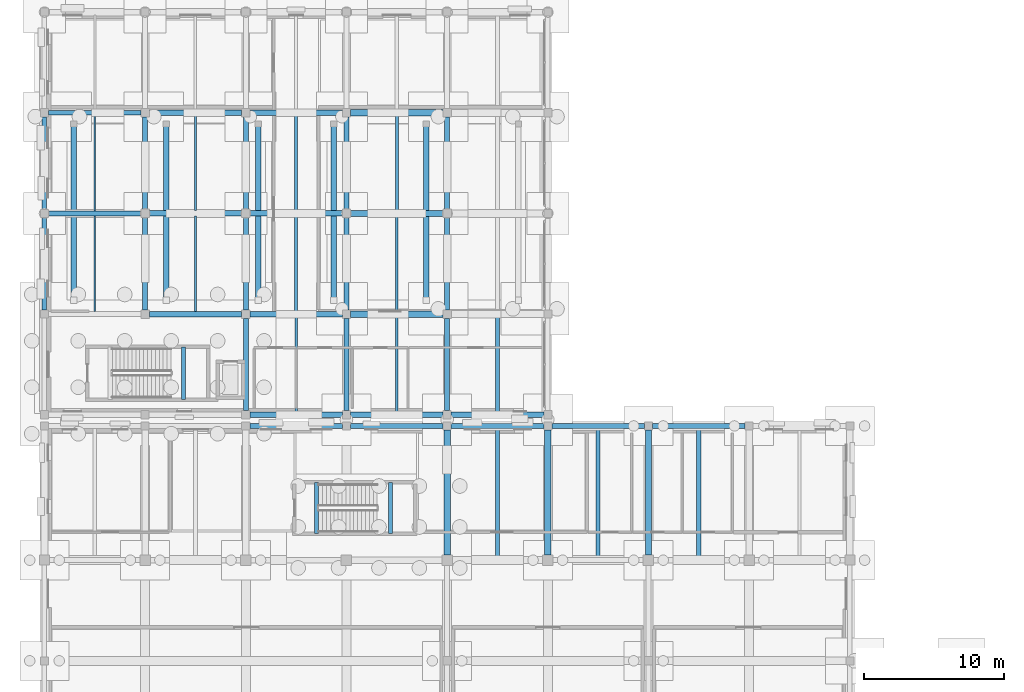
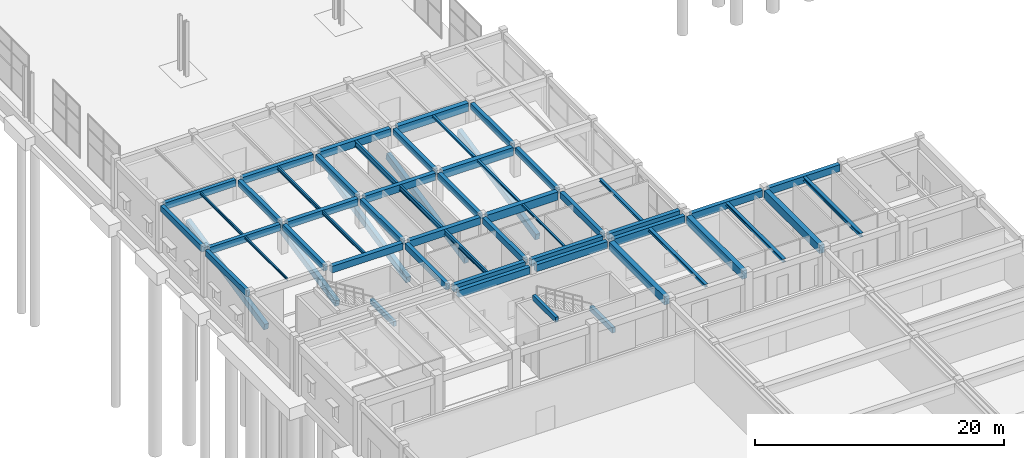
# One storey, part 16 of 91: 57 beams.
"""IFC4 building model written with IfcOpenShell, lengths in metres."""

from ifc_helpers import new_model, si_unit, direction, frame, origin, origin_2d, place, context, subcontext, project, spatial, rectangle, i_section, extrude, material, material_profile, profile_set, type_object, element, save


model = new_model("IFC4")

# Units and contexts
model_context = context("Model", 3, precision=1e-05, world=origin(), true_north=direction((0.0, 1.0)))
body_context = subcontext(model_context, "Body", "Model", "MODEL_VIEW")
ifc_project = project(units=[si_unit("LENGTHUNIT", "METRE"), si_unit("AREAUNIT", "SQUARE_METRE"), si_unit("VOLUMEUNIT", "CUBIC_METRE"), si_unit("PLANEANGLEUNIT", "RADIAN"), si_unit("MASSUNIT", "GRAM", prefix="KILO")], contexts=[model_context])

# Site, building, storey
site_placement = place(None, origin())
site = spatial("IfcSite", under=ifc_project, at=site_placement, CompositionType="ELEMENT")
building_placement = place(site_placement, origin())
building = spatial("IfcBuilding", under=site, at=building_placement, Name="Bramveld Media Centre", CompositionType="ELEMENT")
storey_placement = place(building_placement, origin())
storey = spatial("IfcBuildingStorey", under=building, at=storey_placement, Name="L00", CompositionType="ELEMENT", Elevation=0.0)

# Beams
ifc_material_1 = material(Name="Concrete C40/50", Category="concrete")
ifc_material_profile_1 = material_profile(ifc_material_1, rectangle(XDim=0.300048828125, YDim=0.5, at=origin_2d()), Name="RC 300x500")
ifc_profile_set_1 = profile_set([ifc_material_profile_1], Name="Concrete C40/50")
beam_type_1 = type_object("IfcBeamType", Name="BM-INT-RC-300x500", PredefinedType="BEAM", material=ifc_profile_set_1)
beam_1_placement = place(storey_placement, frame((9.949951171875, 40.300048828125, 2.25), z_axis=(0.0, 1.0, 0.0), x_axis=(-1.0, 0.0, 0.0)))
element("IfcBeam", 1, at=beam_1_placement, inside=storey, type_object=beam_type_1, Name="ST-04 L00 stairwell half-landing support beam", PredefinedType="BEAM", context=body_context, shape_type="SweptSolid", body=[
    extrude(rectangle(XDim=0.300048828125, YDim=0.5, at=origin_2d()), origin(), (0.0, 0.0, 1.0), 3.75),
])
for number, where, z_axis, x_axis, name in (
    (2, (19.449951171875, 30.699951171875, 5.14990234375), (0.0, 1.0, 0.0), (-1.0, 0.0, 0.0), "ST-05 L01 stairwell landing trimmer beam"),
    (3, (24.75, 30.699951171875, 2.25), (0.0, 1.0, 0.0), (-1.0, 0.0, 0.0), "ST-05 L00 stairwell half-landing support beam"),
):
    element("IfcBeam", number, at=place(storey_placement, frame(where, z_axis=z_axis, x_axis=x_axis)), inside=storey, type_object=beam_type_1, Name=name, PredefinedType="BEAM", context=body_context, shape_type="SweptSolid", body=[
        extrude(rectangle(XDim=0.300048828125, YDim=0.5, at=origin_2d()), origin(), (0.0, 0.0, 1.0), 3.650146484375),
    ])
ifc_material_2 = material(Name="Concrete C40/50", Category="concrete")
ifc_material_profile_2 = material_profile(ifc_material_2, rectangle(XDim=0.35009765625, YDim=0.60009765625, at=origin_2d()), Name="RC 350x600")
ifc_profile_set_2 = profile_set([ifc_material_profile_2], Name="Concrete C40/50")
beam_type_2 = type_object("IfcBeamType", Name="BM-INT-RC-350x600", PredefinedType="BEAM", material=ifc_profile_set_2)
for number, where, z_axis, x_axis, name in (
    (4, (7.199951171875, 46.699951171875, 4.840087890625), (0.0, 1.0, 0.0), (-1.0, 0.0, 0.0), "V3 L00 girder Y-220"),
    (5, (7.199951171875, 53.89990234375, 4.840087890625), (0.0, 1.0, 0.0), (-1.0, 0.0, 0.0), "V3 L00 girder Y-221"),
):
    element("IfcBeam", number, at=place(storey_placement, frame(where, z_axis=z_axis, x_axis=x_axis)), inside=storey, type_object=beam_type_2, Name=name, PredefinedType="BEAM", context=body_context, shape_type="SweptSolid", body=[
        extrude(rectangle(XDim=0.35009765625, YDim=0.60009765625, at=origin_2d()), origin(), (0.0, 0.0, 1.0), 6.60009765625),
    ])
beam_2_placement = place(storey_placement, frame((14.39990234375, 39.489990234375, 4.840087890625), z_axis=(0.0, 1.0, 0.0), x_axis=(-1.0, 0.0, 0.0)))
element("IfcBeam", 6, at=beam_2_placement, inside=storey, type_object=beam_type_2, Name="V3 L00 girder Y-223", PredefinedType="BEAM", context=body_context, shape_type="SweptSolid", body=[
    extrude(rectangle(XDim=0.35009765625, YDim=0.60009765625, at=origin_2d()), origin(), (0.0, 0.0, 1.0), 6.610107421875),
])
for number, where, z_axis, x_axis, name in (
    (7, (14.39990234375, 46.699951171875, 4.840087890625), (0.0, 1.0, 0.0), (-1.0, 0.0, 0.0), "V3 L00 girder Y-224"),
    (8, (14.39990234375, 53.89990234375, 4.840087890625), (0.0, 1.0, 0.0), (-1.0, 0.0, 0.0), "V3 L00 girder Y-225"),
):
    element("IfcBeam", number, at=place(storey_placement, frame(where, z_axis=z_axis, x_axis=x_axis)), inside=storey, type_object=beam_type_2, Name=name, PredefinedType="BEAM", context=body_context, shape_type="SweptSolid", body=[
        extrude(rectangle(XDim=0.35009765625, YDim=0.60009765625, at=origin_2d()), origin(), (0.0, 0.0, 1.0), 6.60009765625),
    ])
beam_3_placement = place(storey_placement, frame((21.60009765625, 39.489990234375, 4.840087890625), z_axis=(0.0, 1.0, 0.0), x_axis=(-1.0, 0.0, 0.0)))
element("IfcBeam", 9, at=beam_3_placement, inside=storey, type_object=beam_type_2, Name="V3 L00 girder Y-227", PredefinedType="BEAM", context=body_context, shape_type="SweptSolid", body=[
    extrude(rectangle(XDim=0.35009765625, YDim=0.60009765625, at=origin_2d()), origin(), (0.0, 0.0, 1.0), 6.610107421875),
])
for number, where, z_axis, x_axis, name in (
    (10, (21.60009765625, 46.699951171875, 4.840087890625), (0.0, 1.0, 0.0), (-1.0, 0.0, 0.0), "V3 L00 girder Y-228"),
    (11, (21.60009765625, 53.89990234375, 4.840087890625), (0.0, 1.0, 0.0), (-1.0, 0.0, 0.0), "V3 L00 girder Y-229"),
):
    element("IfcBeam", number, at=place(storey_placement, frame(where, z_axis=z_axis, x_axis=x_axis)), inside=storey, type_object=beam_type_2, Name=name, PredefinedType="BEAM", context=body_context, shape_type="SweptSolid", body=[
        extrude(rectangle(XDim=0.35009765625, YDim=0.60009765625, at=origin_2d()), origin(), (0.0, 0.0, 1.0), 6.60009765625),
    ])
beam_4_placement = place(storey_placement, frame((28.800048828125, 39.489990234375, 4.840087890625), z_axis=(0.0, 1.0, 0.0), x_axis=(-1.0, 0.0, 0.0)))
element("IfcBeam", 12, at=beam_4_placement, inside=storey, type_object=beam_type_2, Name="V3 L00 girder Y-231", PredefinedType="BEAM", context=body_context, shape_type="SweptSolid", body=[
    extrude(rectangle(XDim=0.35009765625, YDim=0.60009765625, at=origin_2d()), origin(), (0.0, 0.0, 1.0), 6.610107421875),
])
for number, where, z_axis, x_axis, name in (
    (13, (28.800048828125, 46.699951171875, 4.840087890625), (0.0, 1.0, 0.0), (-1.0, 0.0, 0.0), "V3 L00 girder Y-232"),
    (14, (28.800048828125, 53.89990234375, 4.840087890625), (0.0, 1.0, 0.0), (-1.0, 0.0, 0.0), "V3 L00 girder Y-233"),
):
    element("IfcBeam", number, at=place(storey_placement, frame(where, z_axis=z_axis, x_axis=x_axis)), inside=storey, type_object=beam_type_2, Name=name, PredefinedType="BEAM", context=body_context, shape_type="SweptSolid", body=[
        extrude(rectangle(XDim=0.35009765625, YDim=0.60009765625, at=origin_2d()), origin(), (0.0, 0.0, 1.0), 6.60009765625),
    ])
ifc_material_3 = material(Name="Concrete C40/50", Category="concrete")
ifc_material_profile_3 = material_profile(ifc_material_3, rectangle(XDim=0.35009765625, YDim=0.64990234375, at=origin_2d()), Name="RC 350x650")
ifc_profile_set_3 = profile_set([ifc_material_profile_3], Name="Concrete C40/50")
beam_type_3 = type_object("IfcBeamType", Name="BM-INT-RC-350x650", PredefinedType="BEAM", material=ifc_profile_set_3)
for number, where, z_axis, x_axis, name in (
    (15, (0.2900390625, 53.60009765625, 4.81494140625), (1.0, 0.0, 0.0), (0.0, 1.0, 0.0), "V3 L00 girder X-201"),
    (16, (0.2900390625, 60.800048828125, 4.81494140625), (1.0, 0.0, 0.0), (0.0, 1.0, 0.0), "V3 L00 girder X-206"),
):
    element("IfcBeam", number, at=place(storey_placement, frame(where, z_axis=z_axis, x_axis=x_axis)), inside=storey, type_object=beam_type_3, Name=name, PredefinedType="BEAM", context=body_context, shape_type="SweptSolid", body=[
        extrude(rectangle(XDim=0.35009765625, YDim=0.64990234375, at=origin_2d()), origin(), (0.0, 0.0, 1.0), 6.60986328125),
    ])
ifc_material_4 = material(Name="Concrete C40/50", Category="concrete")
ifc_material_profile_4 = material_profile(ifc_material_4, rectangle(XDim=0.39990234375, YDim=0.64990234375, at=origin_2d()), Name="RC 400x650")
ifc_profile_set_4 = profile_set([ifc_material_profile_4], Name="Concrete C40/50")
beam_type_4 = type_object("IfcBeamType", Name="BM-INT-RC-400x650", PredefinedType="BEAM", material=ifc_profile_set_4)
for number, where, z_axis, x_axis, name in (
    (17, (7.5, 46.39990234375, 4.81494140625), (1.0, 0.0, 0.0), (0.0, 1.0, 0.0), "V3 L00 girder X-197"),
    (18, (7.5, 53.60009765625, 4.81494140625), (1.0, 0.0, 0.0), (0.0, 1.0, 0.0), "V3 L00 girder X-202"),
    (19, (7.5, 60.800048828125, 4.81494140625), (1.0, 0.0, 0.0), (0.0, 1.0, 0.0), "V3 L00 girder X-207"),
):
    element("IfcBeam", number, at=place(storey_placement, frame(where, z_axis=z_axis, x_axis=x_axis)), inside=storey, type_object=beam_type_4, Name=name, PredefinedType="BEAM", context=body_context, shape_type="SweptSolid", body=[
        extrude(rectangle(XDim=0.39990234375, YDim=0.64990234375, at=origin_2d()), origin(), (0.0, 0.0, 1.0), 6.60009765625),
    ])
for number, where, z_axis, x_axis, name in (
    (20, (2.10009765625, 47.39990234375, 0.405029296875), (0.0, 0.978278642326, 0.20729423043), (-1.0, 0.0, 0.0), "Cinema 3 Raked Seating Slab raker beam 1"),
    (21, (8.699951171875, 47.39990234375, 0.405029296875), (0.0, 0.978278642326, 0.20729423043), (-1.0, 0.0, 0.0), "Cinema 3 Raked Seating Slab raker beam 2"),
    (22, (15.300048828125, 47.39990234375, 0.405029296875), (0.0, 0.978278642326, 0.20729423043), (-1.0, 0.0, 0.0), "Cinema 3 Raked Seating Slab raker beam 3"),
    (23, (20.699951171875, 47.39990234375, 0.425048828125), (0.0, 0.978278642326, 0.20729423043), (-1.0, 0.0, 0.0), "Cinema 4 Raked Seating Slab raker beam 1"),
    (24, (27.300048828125, 47.39990234375, 0.425048828125), (0.0, 0.978278642326, 0.20729423043), (-1.0, 0.0, 0.0), "Cinema 4 Raked Seating Slab raker beam 2"),
):
    element("IfcBeam", number, at=place(storey_placement, frame(where, z_axis=z_axis, x_axis=x_axis)), inside=storey, type_object=beam_type_4, Name=name, PredefinedType="BEAM", context=body_context, shape_type="SweptSolid", body=[
        extrude(rectangle(XDim=0.39990234375, YDim=0.64990234375, at=origin_2d()), origin(), (0.0, 0.0, 1.0), 12.8798828125),
    ])
ifc_material_5 = material(Name="Concrete C40/50", Category="concrete")
ifc_material_profile_5 = material_profile(ifc_material_5, rectangle(XDim=0.39990234375, YDim=0.699951171875, at=origin_2d()), Name="RC 400x700")
ifc_profile_set_5 = profile_set([ifc_material_profile_5], Name="Concrete C40/50")
beam_type_5 = type_object("IfcBeamType", Name="BM-INT-RC-400x700", PredefinedType="BEAM", material=ifc_profile_set_5)
for number, where, z_axis, x_axis, name in (
    (25, (14.699951171875, 46.39990234375, 4.7900390625), (1.0, 0.0, 0.0), (0.0, 1.0, 0.0), "V3 L00 girder X-198"),
    (26, (14.699951171875, 53.60009765625, 4.7900390625), (1.0, 0.0, 0.0), (0.0, 1.0, 0.0), "V3 L00 girder X-203"),
    (27, (14.699951171875, 60.800048828125, 4.7900390625), (1.0, 0.0, 0.0), (0.0, 1.0, 0.0), "V3 L00 girder X-208"),
):
    element("IfcBeam", number, at=place(storey_placement, frame(where, z_axis=z_axis, x_axis=x_axis)), inside=storey, type_object=beam_type_5, Name=name, PredefinedType="BEAM", context=body_context, shape_type="SweptSolid", body=[
        extrude(rectangle(XDim=0.39990234375, YDim=0.699951171875, at=origin_2d()), origin(), (0.0, 0.0, 1.0), 6.60009765625),
    ])
ifc_material_6 = material(Name="Concrete C40/50", Category="concrete")
ifc_material_profile_6 = material_profile(ifc_material_6, rectangle(XDim=0.449951171875, YDim=0.800048828125, at=origin_2d()), Name="RC 450x800")
ifc_profile_set_6 = profile_set([ifc_material_profile_6], Name="Concrete C40/50")
beam_type_6 = type_object("IfcBeamType", Name="BM-INT-RC-450x800", PredefinedType="BEAM", material=ifc_profile_set_6)
for number, where, z_axis, x_axis, name in (
    (28, (28.800048828125, 29.175048828125, 4.699951171875), (0.0, 1.0, 0.0), (-1.0, 0.0, 0.0), "V2 L00 girder Y-120"),
    (29, (36.0, 29.175048828125, 4.699951171875), (0.0, 1.0, 0.0), (-1.0, 0.0, 0.0), "V2 L00 girder Y-121"),
    (30, (43.199951171875, 29.175048828125, 4.699951171875), (0.0, 1.0, 0.0), (-1.0, 0.0, 0.0), "V2 L00 girder Y-126"),
):
    element("IfcBeam", number, at=place(storey_placement, frame(where, z_axis=z_axis, x_axis=x_axis)), inside=storey, type_object=beam_type_6, Name=name, PredefinedType="BEAM", context=body_context, shape_type="SweptSolid", body=[
        extrude(rectangle(XDim=0.449951171875, YDim=0.800048828125, at=origin_2d()), origin(), (0.0, 0.0, 1.0), 8.93505859375),
    ])
for number, where, z_axis, x_axis, name in (
    (31, (21.89990234375, 46.39990234375, 4.739990234375), (1.0, 0.0, 0.0), (0.0, 1.0, 0.0), "V3 L00 girder X-199"),
    (32, (21.89990234375, 53.60009765625, 4.739990234375), (1.0, 0.0, 0.0), (0.0, 1.0, 0.0), "V3 L00 girder X-204"),
    (33, (21.89990234375, 60.800048828125, 4.739990234375), (1.0, 0.0, 0.0), (0.0, 1.0, 0.0), "V3 L00 girder X-209"),
):
    element("IfcBeam", number, at=place(storey_placement, frame(where, z_axis=z_axis, x_axis=x_axis)), inside=storey, type_object=beam_type_6, Name=name, PredefinedType="BEAM", context=body_context, shape_type="SweptSolid", body=[
        extrude(rectangle(XDim=0.449951171875, YDim=0.800048828125, at=origin_2d()), origin(), (0.0, 0.0, 1.0), 6.60009765625),
    ])
ifc_material_7 = material(Name="Steel S355J2", Category="steel")
ifc_material_profile_7 = material_profile(ifc_material_7, i_section(OverallWidth=0.179931640625, OverallDepth=0.1708984375, WebThickness=0.006103515625, FlangeThickness=0.009521484375, FilletRadius=0.014892578125, at=origin_2d()), Name="HEA 180")
ifc_profile_set_7 = profile_set([ifc_material_profile_7], Name="Steel S355J2")
beam_type_7 = type_object("IfcBeamType", Name="SBM-INT-HEA-180", PredefinedType="BEAM", material=ifc_profile_set_7)
beam_5_placement = place(storey_placement, frame((25.199951171875, 39.389892578125, 5.054443359375), z_axis=(0.0, 1.0, 0.0), x_axis=(-1.0, 0.0, 0.0)))
element("IfcBeam", 34, at=beam_5_placement, inside=storey, type_object=beam_type_7, Name="V3 L00 secondary floor joist 249", PredefinedType="BEAM", context=body_context, shape_type="SweptSolid", body=[
    extrude(i_section(OverallWidth=0.179931640625, OverallDepth=0.1708984375, WebThickness=0.006103515625, FlangeThickness=0.009521484375, FilletRadius=0.014892578125, at=origin_2d()), origin(), (0.0, 0.0, 1.0), 6.78515625),
])
ifc_material_8 = material(Name="Steel S355J2", Category="steel")
ifc_material_profile_8 = material_profile(ifc_material_8, i_section(OverallWidth=0.199951171875, OverallDepth=0.18994140625, WebThickness=0.006591796875, FlangeThickness=0.010009765625, FilletRadius=0.01806640625, at=origin_2d()), Name="HEA 200")
ifc_profile_set_8 = profile_set([ifc_material_profile_8], Name="Steel S355J2")
beam_type_8 = type_object("IfcBeamType", Name="SBM-INT-HEA-200", PredefinedType="BEAM", material=ifc_profile_set_8)
beam_6_placement = place(storey_placement, frame((25.199951171875, 46.625, 5.044921875), z_axis=(0.0, 1.0, 0.0), x_axis=(-1.0, 0.0, 0.0)))
element("IfcBeam", 35, at=beam_6_placement, inside=storey, type_object=beam_type_8, Name="V3 L00 secondary floor joist 250", PredefinedType="BEAM", context=body_context, shape_type="SweptSolid", body=[
    extrude(i_section(OverallWidth=0.199951171875, OverallDepth=0.18994140625, WebThickness=0.006591796875, FlangeThickness=0.010009765625, FilletRadius=0.01806640625, at=origin_2d()), origin(), (0.0, 0.0, 1.0), 6.75),
])
ifc_material_9 = material(Name="Steel S355J2", Category="steel")
ifc_material_profile_9 = material_profile(ifc_material_9, i_section(OverallWidth=0.219970703125, OverallDepth=0.2099609375, WebThickness=0.007080078125, FlangeThickness=0.010986328125, FilletRadius=0.01806640625, at=origin_2d()), Name="HEA 220")
ifc_profile_set_9 = profile_set([ifc_material_profile_9], Name="Steel S355J2")
beam_type_9 = type_object("IfcBeamType", Name="SBM-INT-HEA-220", PredefinedType="BEAM", material=ifc_profile_set_9)
beam_7_placement = place(storey_placement, frame((25.199951171875, 53.824951171875, 5.034912109375), z_axis=(0.0, 1.0, 0.0), x_axis=(-1.0, 0.0, 0.0)))
element("IfcBeam", 36, at=beam_7_placement, inside=storey, type_object=beam_type_9, Name="V3 L00 secondary floor joist 251", PredefinedType="BEAM", context=body_context, shape_type="SweptSolid", body=[
    extrude(i_section(OverallWidth=0.219970703125, OverallDepth=0.2099609375, WebThickness=0.007080078125, FlangeThickness=0.010986328125, FilletRadius=0.01806640625, at=origin_2d()), origin(), (0.0, 0.0, 1.0), 6.75),
])
ifc_material_10 = material(Name="Steel S355J2", Category="steel")
ifc_material_profile_10 = material_profile(ifc_material_10, i_section(OverallWidth=0.260009765625, OverallDepth=0.25, WebThickness=0.007568359375, FlangeThickness=0.012451171875, FilletRadius=0.02392578125, at=origin_2d()), Name="HEA 260")
ifc_profile_set_10 = profile_set([ifc_material_profile_10], Name="Steel S355J2")
beam_type_10 = type_object("IfcBeamType", Name="SBM-INT-HEA-260", PredefinedType="BEAM", material=ifc_profile_set_10)
beam_8_placement = place(storey_placement, frame((32.39990234375, 39.389892578125, 5.014892578125), z_axis=(0.0, 1.0, 0.0), x_axis=(-1.0, 0.0, 0.0)))
element("IfcBeam", 37, at=beam_8_placement, inside=storey, type_object=beam_type_10, Name="V3 L00 secondary floor joist 253", PredefinedType="BEAM", context=body_context, shape_type="SweptSolid", body=[
    extrude(i_section(OverallWidth=0.260009765625, OverallDepth=0.25, WebThickness=0.007568359375, FlangeThickness=0.012451171875, FilletRadius=0.02392578125, at=origin_2d()), origin(), (0.0, 0.0, 1.0), 6.760009765625),
])
ifc_material_11 = material(Name="Steel S355J2", Category="steel")
ifc_material_profile_11 = material_profile(ifc_material_11, i_section(OverallWidth=0.300048828125, OverallDepth=0.2900390625, WebThickness=0.008544921875, FlangeThickness=0.013916015625, FilletRadius=0.027099609375, at=origin_2d()), Name="HEA 300")
ifc_profile_set_11 = profile_set([ifc_material_profile_11], Name="Steel S355J2")
beam_type_11 = type_object("IfcBeamType", Name="SBM-INT-HEA-300", PredefinedType="BEAM", material=ifc_profile_set_11)
beam_9_placement = place(storey_placement, frame((32.39990234375, 29.050048828125, 4.955078125), z_axis=(0.0, 1.0, 0.0), x_axis=(-1.0, 0.0, 0.0)))
element("IfcBeam", 38, at=beam_9_placement, inside=storey, type_object=beam_type_11, Name="V2 L00 secondary floor joist 135", PredefinedType="BEAM", context=body_context, shape_type="SweptSolid", body=[
    extrude(i_section(OverallWidth=0.300048828125, OverallDepth=0.2900390625, WebThickness=0.008544921875, FlangeThickness=0.013916015625, FilletRadius=0.027099609375, at=origin_2d()), origin(), (0.0, 0.0, 1.0), 9.159912109375),
])
ifc_material_12 = material(Name="Steel S355J2", Category="steel")
ifc_material_profile_12 = material_profile(ifc_material_12, i_section(OverallWidth=0.300048828125, OverallDepth=0.31005859375, WebThickness=0.009033203125, FlangeThickness=0.015380859375, FilletRadius=0.027099609375, at=origin_2d()), Name="HEA 320")
ifc_profile_set_12 = profile_set([ifc_material_profile_12], Name="Steel S355J2")
beam_type_12 = type_object("IfcBeamType", Name="SBM-INT-HEA-320", PredefinedType="BEAM", material=ifc_profile_set_12)
beam_10_placement = place(storey_placement, frame((39.60009765625, 28.97509765625, 4.945068359375), z_axis=(0.0, 1.0, 0.0), x_axis=(-1.0, 0.0, 0.0)))
element("IfcBeam", 39, at=beam_10_placement, inside=storey, type_object=beam_type_12, Name="V2 L00 secondary floor joist 136", PredefinedType="BEAM", context=body_context, shape_type="SweptSolid", body=[
    extrude(i_section(OverallWidth=0.300048828125, OverallDepth=0.31005859375, WebThickness=0.009033203125, FlangeThickness=0.015380859375, FilletRadius=0.027099609375, at=origin_2d()), origin(), (0.0, 0.0, 1.0), 9.23486328125),
])
ifc_material_13 = material(Name="Steel S355J2", Category="steel")
ifc_material_profile_13 = material_profile(ifc_material_13, i_section(OverallWidth=0.300048828125, OverallDepth=0.389892578125, WebThickness=0.010986328125, FlangeThickness=0.01904296875, FilletRadius=0.027099609375, at=origin_2d()), Name="HEA 400")
ifc_profile_set_13 = profile_set([ifc_material_profile_13], Name="Steel S355J2")
beam_type_13 = type_object("IfcBeamType", Name="SBM-INT-HEA-400", PredefinedType="BEAM", material=ifc_profile_set_13)
beam_11_placement = place(storey_placement, frame((46.800048828125, 29.0, 4.905029296875), z_axis=(0.0, 1.0, 0.0), x_axis=(-1.0, 0.0, 0.0)))
element("IfcBeam", 40, at=beam_11_placement, inside=storey, type_object=beam_type_13, Name="V2 L00 secondary floor joist 137", PredefinedType="BEAM", context=body_context, shape_type="SweptSolid", body=[
    extrude(i_section(OverallWidth=0.300048828125, OverallDepth=0.389892578125, WebThickness=0.010986328125, FlangeThickness=0.01904296875, FilletRadius=0.027099609375, at=origin_2d()), origin(), (0.0, 0.0, 1.0), 9.2099609375),
])
ifc_material_14 = material(Name="Steel S355J2", Category="steel")
ifc_material_profile_14 = material_profile(ifc_material_14, i_section(OverallWidth=0.1201171875, OverallDepth=0.239990234375, WebThickness=0.006103515625, FlangeThickness=0.009765625, FilletRadius=0.014892578125, at=origin_2d()), Name="IPE 240")
ifc_profile_set_14 = profile_set([ifc_material_profile_14], Name="Steel S355J2")
beam_type_14 = type_object("IfcBeamType", Name="SBM-INT-IPE-240", PredefinedType="JOIST", material=ifc_profile_set_14)
beam_12_placement = place(storey_placement, frame((3.60009765625, 46.574951171875, 5.02001953125), z_axis=(0.0, 1.0, 0.0), x_axis=(-1.0, 0.0, 0.0)))
element("IfcBeam", 41, at=beam_12_placement, inside=storey, type_object=beam_type_14, Name="V3 L00 secondary floor joist 239", PredefinedType="JOIST", context=body_context, shape_type="SweptSolid", body=[
    extrude(i_section(OverallWidth=0.1201171875, OverallDepth=0.239990234375, WebThickness=0.006103515625, FlangeThickness=0.009765625, FilletRadius=0.014892578125, at=origin_2d()), origin(), (0.0, 0.0, 1.0), 6.85009765625),
])
ifc_material_15 = material(Name="Steel S355J2", Category="steel")
ifc_material_profile_15 = material_profile(ifc_material_15, i_section(OverallWidth=0.135009765625, OverallDepth=0.27001953125, WebThickness=0.006591796875, FlangeThickness=0.01025390625, FilletRadius=0.014892578125, at=origin_2d()), Name="IPE 270")
ifc_profile_set_15 = profile_set([ifc_material_profile_15], Name="Steel S355J2")
beam_type_15 = type_object("IfcBeamType", Name="SBM-INT-IPE-270", PredefinedType="JOIST", material=ifc_profile_set_15)
beam_13_placement = place(storey_placement, frame((3.60009765625, 53.77490234375, 5.0048828125), z_axis=(0.0, 1.0, 0.0), x_axis=(-1.0, 0.0, 0.0)))
element("IfcBeam", 42, at=beam_13_placement, inside=storey, type_object=beam_type_15, Name="V3 L00 secondary floor joist 240", PredefinedType="JOIST", context=body_context, shape_type="SweptSolid", body=[
    extrude(i_section(OverallWidth=0.135009765625, OverallDepth=0.27001953125, WebThickness=0.006591796875, FlangeThickness=0.01025390625, FilletRadius=0.014892578125, at=origin_2d()), origin(), (0.0, 0.0, 1.0), 6.85009765625),
])
ifc_material_16 = material(Name="Steel S355J2", Category="steel")
ifc_material_profile_16 = material_profile(ifc_material_16, i_section(OverallWidth=0.159912109375, OverallDepth=0.330078125, WebThickness=0.007568359375, FlangeThickness=0.011474609375, FilletRadius=0.01806640625, at=origin_2d()), Name="IPE 330")
ifc_profile_set_16 = profile_set([ifc_material_profile_16], Name="Steel S355J2")
beam_type_16 = type_object("IfcBeamType", Name="SBM-INT-IPE-330", PredefinedType="JOIST", material=ifc_profile_set_16)
beam_14_placement = place(storey_placement, frame((10.800048828125, 46.60009765625, 4.97509765625), z_axis=(0.0, 1.0, 0.0), x_axis=(-1.0, 0.0, 0.0)))
element("IfcBeam", 43, at=beam_14_placement, inside=storey, type_object=beam_type_16, Name="V3 L00 secondary floor joist 242", PredefinedType="JOIST", context=body_context, shape_type="SweptSolid", body=[
    extrude(i_section(OverallWidth=0.159912109375, OverallDepth=0.330078125, WebThickness=0.007568359375, FlangeThickness=0.011474609375, FilletRadius=0.01806640625, at=origin_2d()), origin(), (0.0, 0.0, 1.0), 6.7998046875),
])
ifc_material_17 = material(Name="Steel S355J2", Category="steel")
ifc_material_profile_17 = material_profile(ifc_material_17, i_section(OverallWidth=0.169921875, OverallDepth=0.360107421875, WebThickness=0.008056640625, FlangeThickness=0.0126953125, FilletRadius=0.01806640625, at=origin_2d()), Name="IPE 360")
ifc_profile_set_17 = profile_set([ifc_material_profile_17], Name="Steel S355J2")
beam_type_17 = type_object("IfcBeamType", Name="SBM-INT-IPE-360", PredefinedType="JOIST", material=ifc_profile_set_17)
beam_15_placement = place(storey_placement, frame((10.800048828125, 53.800048828125, 4.9599609375), z_axis=(0.0, 1.0, 0.0), x_axis=(-1.0, 0.0, 0.0)))
element("IfcBeam", 44, at=beam_15_placement, inside=storey, type_object=beam_type_17, Name="V3 L00 secondary floor joist 243", PredefinedType="JOIST", context=body_context, shape_type="SweptSolid", body=[
    extrude(i_section(OverallWidth=0.169921875, OverallDepth=0.360107421875, WebThickness=0.008056640625, FlangeThickness=0.0126953125, FilletRadius=0.01806640625, at=origin_2d()), origin(), (0.0, 0.0, 1.0), 6.800048828125),
])
ifc_material_18 = material(Name="Steel S355J2", Category="steel")
ifc_material_profile_18 = material_profile(ifc_material_18, i_section(OverallWidth=0.18994140625, OverallDepth=0.449951171875, WebThickness=0.009521484375, FlangeThickness=0.0146484375, FilletRadius=0.02099609375, at=origin_2d()), Name="IPE 450")
ifc_profile_set_18 = profile_set([ifc_material_profile_18], Name="Steel S355J2")
beam_type_18 = type_object("IfcBeamType", Name="SBM-INT-IPE-450", PredefinedType="BEAM", material=ifc_profile_set_18)
beam_16_placement = place(storey_placement, frame((18.0, 39.389892578125, 4.9150390625), z_axis=(0.0, 1.0, 0.0), x_axis=(-1.0, 0.0, 0.0)))
element("IfcBeam", 45, at=beam_16_placement, inside=storey, type_object=beam_type_18, Name="V3 L00 secondary floor joist 245", PredefinedType="BEAM", context=body_context, shape_type="SweptSolid", body=[
    extrude(i_section(OverallWidth=0.18994140625, OverallDepth=0.449951171875, WebThickness=0.009521484375, FlangeThickness=0.0146484375, FilletRadius=0.02099609375, at=origin_2d()), origin(), (0.0, 0.0, 1.0), 6.81005859375),
])
ifc_material_19 = material(Name="Steel S355J2", Category="steel")
ifc_material_profile_19 = material_profile(ifc_material_19, i_section(OverallWidth=0.199951171875, OverallDepth=0.5, WebThickness=0.01025390625, FlangeThickness=0.01611328125, FilletRadius=0.02099609375, at=origin_2d()), Name="IPE 500")
ifc_profile_set_19 = profile_set([ifc_material_profile_19], Name="Steel S355J2")
beam_type_19 = type_object("IfcBeamType", Name="SBM-INT-IPE-500", PredefinedType="BEAM", material=ifc_profile_set_19)
beam_17_placement = place(storey_placement, frame((18.0, 46.60009765625, 4.889892578125), z_axis=(0.0, 1.0, 0.0), x_axis=(-1.0, 0.0, 0.0)))
element("IfcBeam", 46, at=beam_17_placement, inside=storey, type_object=beam_type_19, Name="V3 L00 secondary floor joist 246", PredefinedType="BEAM", context=body_context, shape_type="SweptSolid", body=[
    extrude(i_section(OverallWidth=0.199951171875, OverallDepth=0.5, WebThickness=0.01025390625, FlangeThickness=0.01611328125, FilletRadius=0.02099609375, at=origin_2d()), origin(), (0.0, 0.0, 1.0), 6.7998046875),
])
ifc_material_20 = material(Name="Steel S355J2", Category="steel")
ifc_material_profile_20 = material_profile(ifc_material_20, i_section(OverallWidth=0.2099609375, OverallDepth=0.550048828125, WebThickness=0.010986328125, FlangeThickness=0.01708984375, FilletRadius=0.02392578125, at=origin_2d()), Name="IPE 550")
ifc_profile_set_20 = profile_set([ifc_material_profile_20], Name="Steel S355J2")
beam_type_20 = type_object("IfcBeamType", Name="SBM-INT-IPE-550", PredefinedType="BEAM", material=ifc_profile_set_20)
beam_18_placement = place(storey_placement, frame((18.0, 53.800048828125, 4.864990234375), z_axis=(0.0, 1.0, 0.0), x_axis=(-1.0, 0.0, 0.0)))
element("IfcBeam", 47, at=beam_18_placement, inside=storey, type_object=beam_type_20, Name="V3 L00 secondary floor joist 247", PredefinedType="BEAM", context=body_context, shape_type="SweptSolid", body=[
    extrude(i_section(OverallWidth=0.2099609375, OverallDepth=0.550048828125, WebThickness=0.010986328125, FlangeThickness=0.01708984375, FilletRadius=0.02392578125, at=origin_2d()), origin(), (0.0, 0.0, 1.0), 6.800048828125),
])
ifc_material_21 = material(Name="Concrete C40/50", Category="concrete")
ifc_material_profile_21 = material_profile(ifc_material_21, rectangle(XDim=0.320068359375, YDim=0.580078125, at=origin_2d()), Name="RC 320x580")
ifc_profile_set_21 = profile_set([ifc_material_profile_21], Name="Concrete C40/50")
beam_type_21 = type_object("IfcBeamType", Name="SPANDREL-EXT-RC-320x580", PredefinedType="SPANDREL", material=ifc_profile_set_21)
for number, where, z_axis, x_axis, name in (
    (48, (0.0, 46.68994140625, 4.85009765625), (0.0, 1.0, 0.0), (-1.0, 0.0, 0.0), "V3 L00 girder Y-217"),
    (49, (0.0, 53.889892578125, 4.85009765625), (0.0, 1.0, 0.0), (-1.0, 0.0, 0.0), "V3 L00 girder Y-218"),
):
    element("IfcBeam", number, at=place(storey_placement, frame(where, z_axis=z_axis, x_axis=x_axis)), inside=storey, type_object=beam_type_21, Name=name, PredefinedType="SPANDREL", context=body_context, shape_type="SweptSolid", body=[
        extrude(rectangle(XDim=0.320068359375, YDim=0.580078125, at=origin_2d()), origin(), (0.0, 0.0, 1.0), 6.6201171875),
    ])
ifc_material_22 = material(Name="Concrete C40/50", Category="concrete")
ifc_material_profile_22 = material_profile(ifc_material_22, rectangle(XDim=0.3798828125, YDim=0.679931640625, at=origin_2d()), Name="RC 380x680")
ifc_profile_set_22 = profile_set([ifc_material_profile_22], Name="Concrete C40/50")
beam_type_22 = type_object("IfcBeamType", Name="SPANDREL-EXT-RC-380x680", PredefinedType="SPANDREL", material=ifc_profile_set_22)
for number, where, z_axis, x_axis, name in (
    (50, (14.68994140625, 38.39990234375, 4.760009765625), (1.0, 0.0, 0.0), (0.0, 1.0, 0.0), "V2 L00 girder X-103"),
    (51, (21.889892578125, 38.39990234375, 4.760009765625), (1.0, 0.0, 0.0), (0.0, 1.0, 0.0), "V2 L00 girder X-104"),
):
    element("IfcBeam", number, at=place(storey_placement, frame(where, z_axis=z_axis, x_axis=x_axis)), inside=storey, type_object=beam_type_22, Name=name, PredefinedType="SPANDREL", context=body_context, shape_type="SweptSolid", body=[
        extrude(rectangle(XDim=0.3798828125, YDim=0.679931640625, at=origin_2d()), origin(), (0.0, 0.0, 1.0), 6.6201171875),
    ])
for number, where, z_axis, x_axis, name in (
    (52, (29.090087890625, 38.39990234375, 4.760009765625), (1.0, 0.0, 0.0), (0.0, 1.0, 0.0), "V2 L00 girder X-105"),
    (53, (36.2900390625, 38.39990234375, 4.760009765625), (1.0, 0.0, 0.0), (0.0, 1.0, 0.0), "V2 L00 girder X-106"),
):
    element("IfcBeam", number, at=place(storey_placement, frame(where, z_axis=z_axis, x_axis=x_axis)), inside=storey, type_object=beam_type_22, Name=name, PredefinedType="SPANDREL", context=body_context, shape_type="SweptSolid", body=[
        extrude(rectangle(XDim=0.3798828125, YDim=0.679931640625, at=origin_2d()), origin(), (0.0, 0.0, 1.0), 6.619873046875),
    ])
for number, where, z_axis, x_axis, name in (
    (54, (43.489990234375, 38.39990234375, 4.760009765625), (1.0, 0.0, 0.0), (0.0, 1.0, 0.0), "V2 L00 girder X-107"),
    (55, (14.68994140625, 39.199951171875, 4.800048828125), (1.0, 0.0, 0.0), (0.0, 1.0, 0.0), "V3 L00 girder X-193"),
    (56, (21.889892578125, 39.199951171875, 4.800048828125), (1.0, 0.0, 0.0), (0.0, 1.0, 0.0), "V3 L00 girder X-194"),
):
    element("IfcBeam", number, at=place(storey_placement, frame(where, z_axis=z_axis, x_axis=x_axis)), inside=storey, type_object=beam_type_22, Name=name, PredefinedType="SPANDREL", context=body_context, shape_type="SweptSolid", body=[
        extrude(rectangle(XDim=0.3798828125, YDim=0.679931640625, at=origin_2d()), origin(), (0.0, 0.0, 1.0), 6.6201171875),
    ])
beam_19_placement = place(storey_placement, frame((29.090087890625, 39.199951171875, 4.800048828125), z_axis=(1.0, 0.0, 0.0), x_axis=(0.0, 1.0, 0.0)))
element("IfcBeam", 57, at=beam_19_placement, inside=storey, type_object=beam_type_22, Name="V3 L00 girder X-195", PredefinedType="SPANDREL", context=body_context, shape_type="SweptSolid", body=[
    extrude(rectangle(XDim=0.3798828125, YDim=0.679931640625, at=origin_2d()), origin(), (0.0, 0.0, 1.0), 6.619873046875),
])

save(model, "model.ifc")
